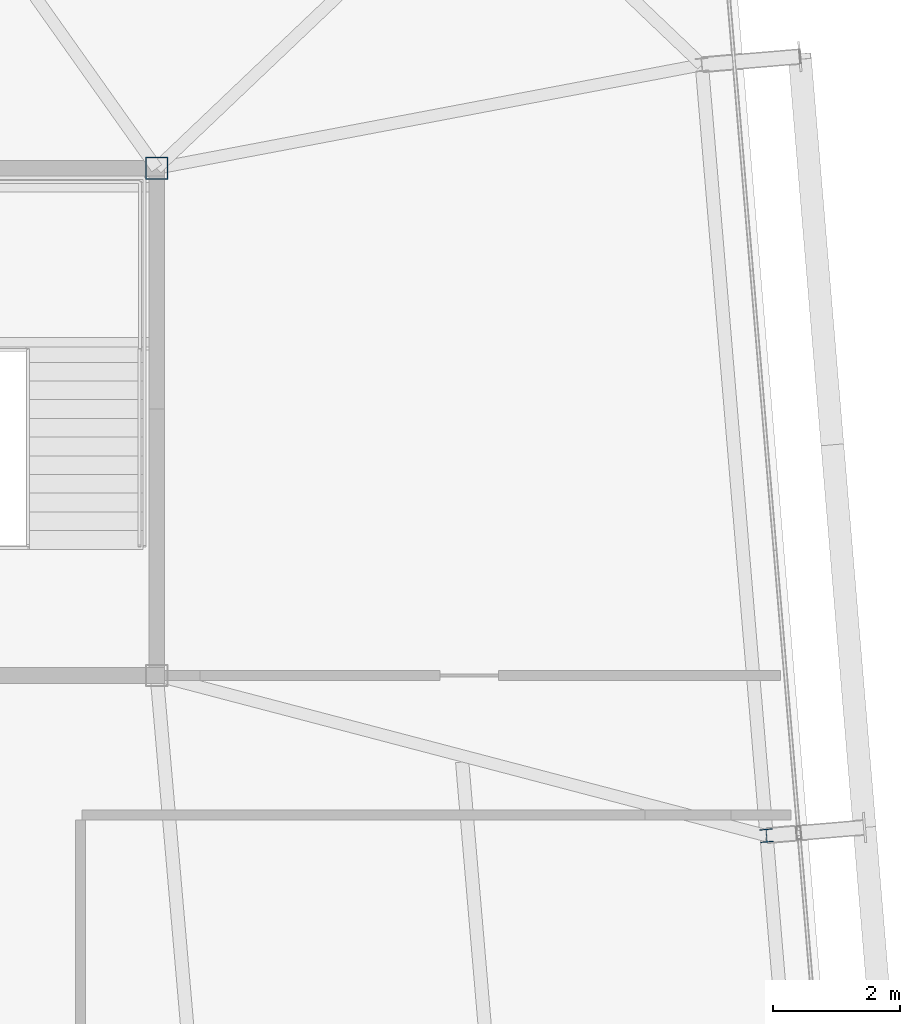
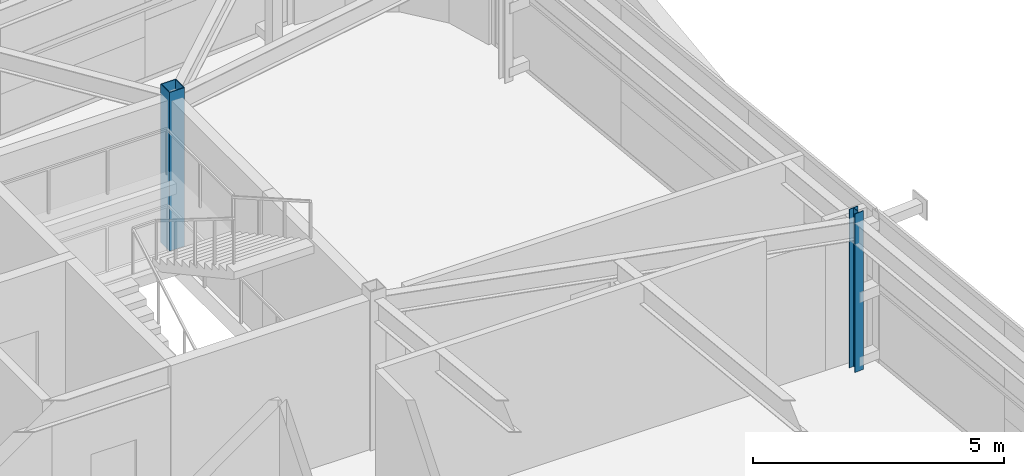
# One storey, part 4 of 38: 2 columns.
"""IFC4 building model written with IfcOpenShell, lengths in metres."""

from ifc_helpers import new_model, si_unit, direction, frame, origin, origin_2d, place, context, subcontext, project, spatial, hollow_rectangle, i_section, extrude, source, transform, mapped, material, material_profile, profile_set, type_object, element, save


model = new_model("IFC4")

# Units and contexts
model_context = context("Model", 3, precision=1e-05, world=origin(), true_north=direction((0.0, 1.0)))
body_context = subcontext(model_context, "Body", "Model", "MODEL_VIEW")
ifc_project = project(units=[si_unit("LENGTHUNIT", "METRE"), si_unit("AREAUNIT", "SQUARE_METRE"), si_unit("VOLUMEUNIT", "CUBIC_METRE"), si_unit("PLANEANGLEUNIT", "RADIAN"), si_unit("MASSUNIT", "GRAM", prefix="KILO")], contexts=[model_context])

# Site, building, storey
site_placement = place(None, origin())
site = spatial("IfcSite", under=ifc_project, at=site_placement, CompositionType="ELEMENT")
building_placement = place(site_placement, origin())
building = spatial("IfcBuilding", under=site, at=building_placement, Name="Taldren Reach Tower", CompositionType="ELEMENT")
storey_placement = place(building_placement, frame((0.0, 0.0, 168.699951171875)))
storey = spatial("IfcBuildingStorey", under=building, at=storey_placement, Name="L51", CompositionType="ELEMENT", Elevation=168.699951171875)

# Columns
ifc_material_1 = material(Name="Steel Gr 450 (C450L0)", Category="steel")
ifc_material_profile_1 = material_profile(ifc_material_1, hollow_rectangle(XDim=0.35009765625, YDim=0.35009765625, WallThickness=0.01611328125, at=origin_2d()), Name="350x350x16.0SHS")
ifc_profile_set_1 = profile_set([ifc_material_profile_1], Name="Steel Gr 450 (C450L0)")
column_type_1 = type_object("IfcColumnType", Name="COL-SHS350", PredefinedType="COLUMN", material=ifc_profile_set_1)
shared_shape_1 = source(origin(), body_context, "Body", "SweptSolid", [
    extrude(hollow_rectangle(XDim=0.35009765625, YDim=0.35009765625, WallThickness=0.01611328125, at=origin_2d()), origin(), (0.0, 0.0, 1.0), 3.85009765625),
])
column_1_placement = place(storey_placement, frame((51.0, 32.0, 0.0), z_axis=(0.0, 0.0, 1.0), x_axis=(1.0, 0.0, 0.0)))
element("IfcColumn", 1, at=column_1_placement, inside=storey, type_object=column_type_1, Name="Mega column MC-C8 L51", PredefinedType="COLUMN", context=body_context, shape_type="MappedRepresentation", body=[
    mapped(shared_shape_1, transform((0.0, 0.0, 0.0), scale=1.0)),
])
ifc_material_2 = material(Name="Steel Gr 350 (350PLUS)", Category="steel")
ifc_material_profile_2 = material_profile(ifc_material_2, i_section(OverallWidth=0.205078125, OverallDepth=0.2099609375, WebThickness=0.00927734375, FlangeThickness=0.01416015625, at=origin_2d()), Name="200UC59.5")
ifc_profile_set_2 = profile_set([ifc_material_profile_2], Name="Steel Gr 350 (350PLUS)")
column_type_2 = type_object("IfcColumnType", Name="COL-UC200", PredefinedType="COLUMN", material=ifc_profile_set_2)
shared_shape_2 = source(origin(), body_context, "Body", "SweptSolid", [
    extrude(i_section(OverallWidth=0.205078125, OverallDepth=0.2099609375, WebThickness=0.00927734375, FlangeThickness=0.01416015625, at=origin_2d()), origin(), (0.0, 0.0, 1.0), 3.85009765625),
])
column_2_placement = place(storey_placement, frame((60.6171875, 21.474853515625, 0.0), z_axis=(0.0, 0.0, 1.0), x_axis=(0.99649285925, 0.083677843332, 0.0)))
element("IfcColumn", 2, at=column_2_placement, inside=storey, type_object=column_type_2, Name="Block B4 perimeter column E2 L51", PredefinedType="COLUMN", context=body_context, shape_type="MappedRepresentation", body=[
    mapped(shared_shape_2, transform((0.0, 0.0, 0.0), scale=1.0)),
])

save(model, "model.ifc")
